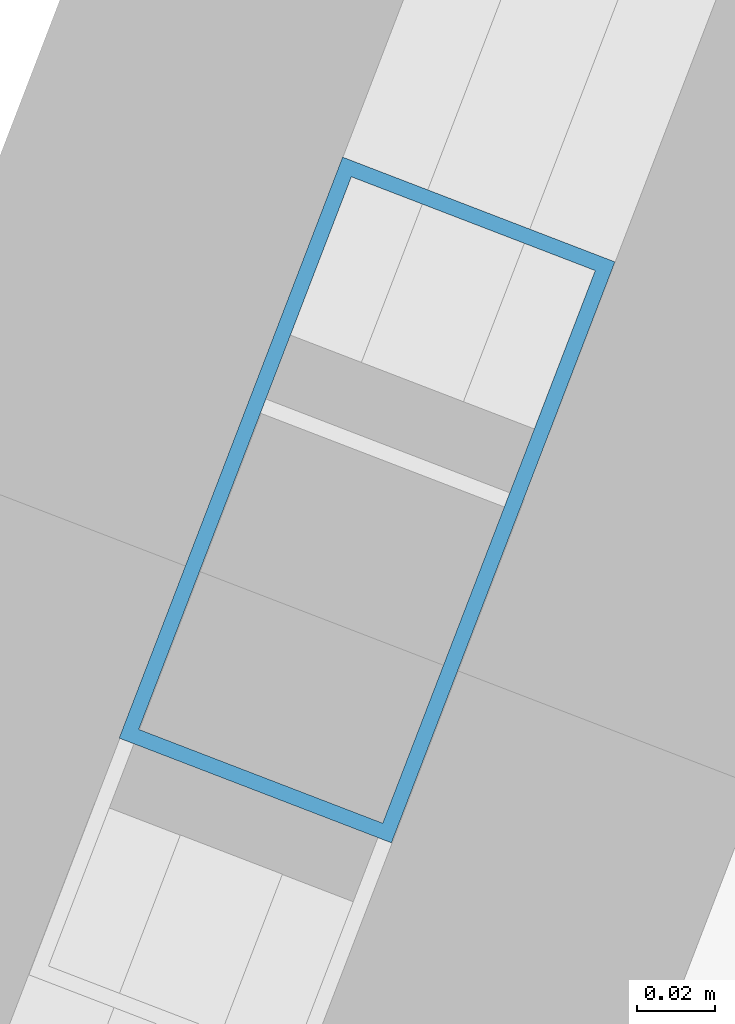
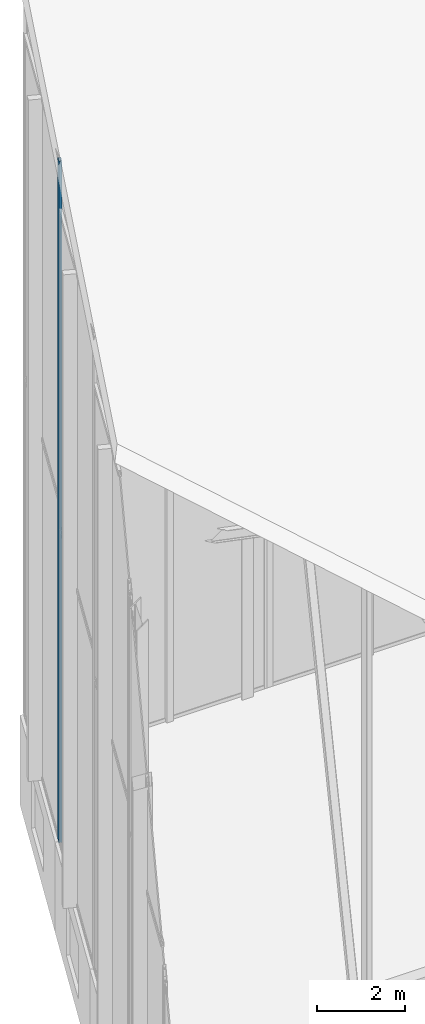
# One storey, part 32 of 74: 1 member, 1 element without a shape of its own.
"""IFC4 building model written with IfcOpenShell, lengths in metres."""

from ifc_helpers import new_model, si_unit, direction, frame, origin, origin_2d, place, context, subcontext, project, spatial, hollow_rectangle, extrude, material, layer, layer_set, material_profile, profile_set, type_object, element, aggregate, save


model = new_model("IFC4")

# Units and contexts
model_context = context("Model", 3, precision=1e-05, world=origin(), true_north=direction((0.0, 1.0)))
body_context = subcontext(model_context, "Body", "Model", "MODEL_VIEW")
ifc_project = project(units=[si_unit("LENGTHUNIT", "METRE"), si_unit("AREAUNIT", "SQUARE_METRE"), si_unit("VOLUMEUNIT", "CUBIC_METRE"), si_unit("PLANEANGLEUNIT", "RADIAN"), si_unit("MASSUNIT", "GRAM", prefix="KILO")], contexts=[model_context])

# Site, building, storey
site_placement = place(None, origin())
site = spatial("IfcSite", under=ifc_project, at=site_placement, CompositionType="ELEMENT")
building_placement = place(site_placement, origin())
building = spatial("IfcBuilding", under=site, at=building_placement, Name="Keshet Zoharim Tower", CompositionType="ELEMENT")
storey_placement = place(building_placement, frame((0.0, 0.0, 320.0)))
storey = spatial("IfcBuildingStorey", under=building, at=storey_placement, Name="RF", CompositionType="ELEMENT", Elevation=320.0)

# Curtain wall, member
ifc_material = material(Name="Aluminium 6063-T6", Category="aluminium")
ifc_layer = layer(ifc_material, 0.260009765625)
ifc_layer_set = layer_set([ifc_layer], Name="Aluminium 6063-T6")
curtain_wall_type = type_object("IfcCurtainWallType", Name="CW-SYS-06", PredefinedType="NOTDEFINED", material=ifc_layer_set)
curtain_wall_placement = place(storey_placement, origin())
curtain_wall = element("IfcCurtainWall", 1, at=curtain_wall_placement, inside=storey, type_object=curtain_wall_type, Name="Slanted Crown Curtain Wall 08", PredefinedType="NOTDEFINED")
ifc_material_profile = material_profile(ifc_material, hollow_rectangle(XDim=0.074951171875, YDim=0.159912109375, WallThickness=0.00390625, at=origin_2d()), Name="MUL-75x160")
ifc_profile_set = profile_set([ifc_material_profile], Name="Aluminium 6063-T6")
member_type = type_object("IfcMemberType", Name="CWM-M15", PredefinedType="MULLION", material=ifc_profile_set)
member_placement = place(storey_placement, frame((12.68359375, 47.87744140625, 2.5), z_axis=(0.0, 0.0, 1.0), x_axis=(-0.933345606206, 0.358979079302, 0.0)))
member = element("IfcMember", 2, at=member_placement, type_object=member_type, Name="CW-06 mullion 1", PredefinedType="MULLION", context=body_context, shape_type="SweptSolid", body=[
    extrude(hollow_rectangle(XDim=0.074951171875, YDim=0.159912109375, WallThickness=0.00390625, at=origin_2d()), origin(), (0.0, 0.0, 1.0), 18.9609375),
])
aggregate(curtain_wall, [member])

save(model, "model.ifc")
